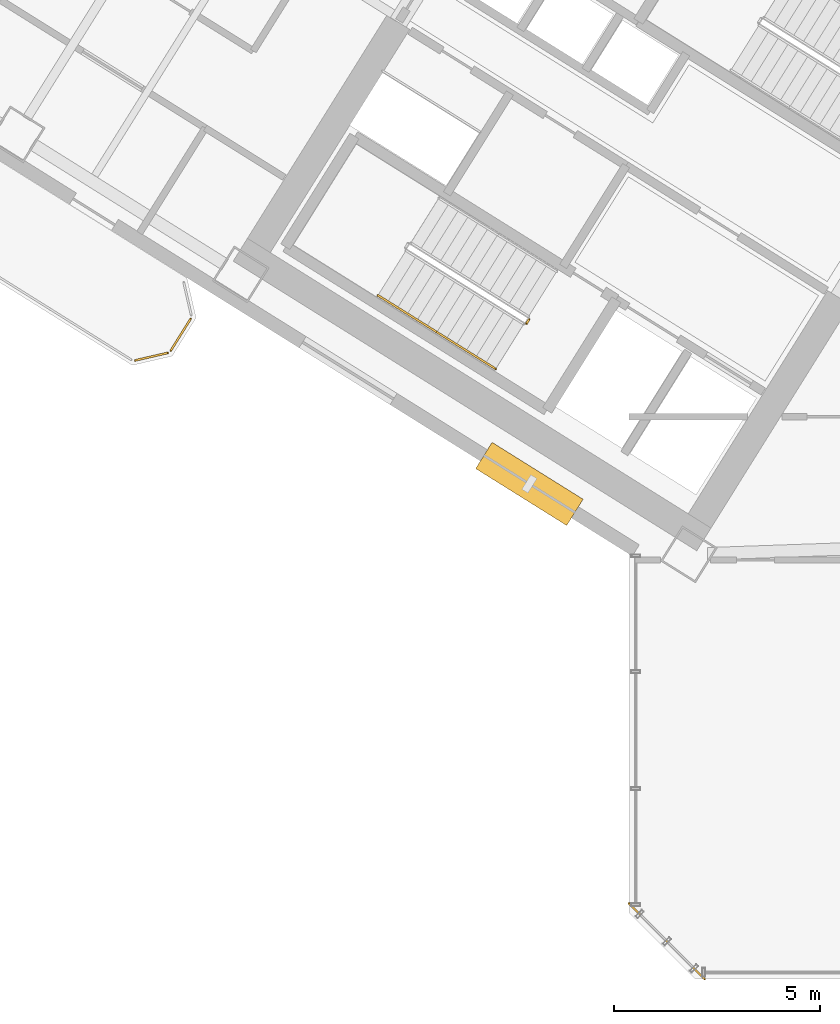
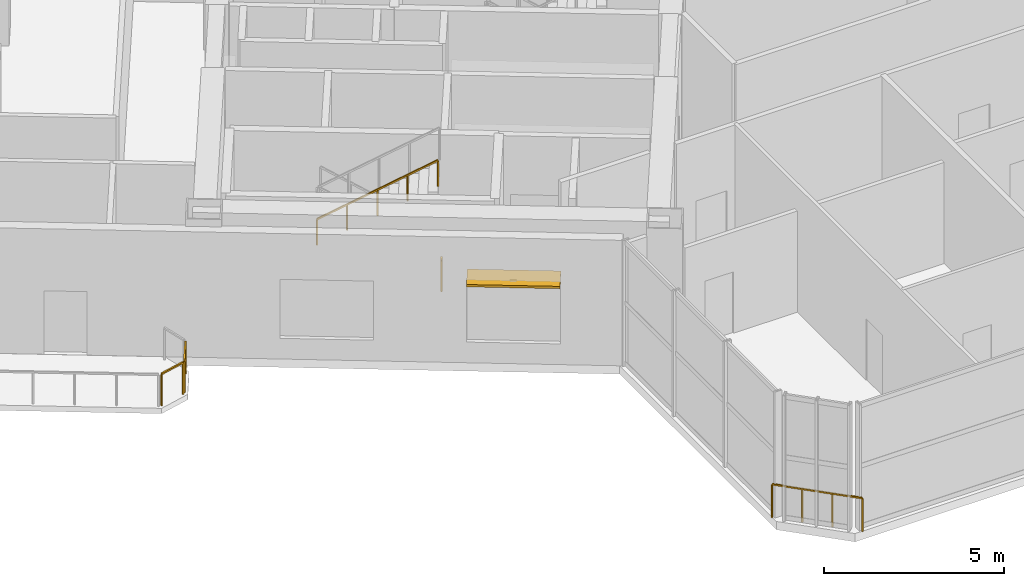
# One storey, part 16 of 19: 6 railings, 1 shading device.
"""IFC4 building model written with IfcOpenShell, lengths in metres."""

from ifc_helpers import new_model, si_unit, direction, frame, origin, origin_2d, place, context, subcontext, project, spatial, rectangle, extrude, source, transform, mapped, material, layer, layer_set, type_object, element, save


model = new_model("IFC4")

# Units and contexts
model_context = context("Model", 3, precision=1e-05, world=origin(), true_north=direction((0.0, 1.0)))
body_context = subcontext(model_context, "Body", "Model", "MODEL_VIEW")
ifc_project = project(units=[si_unit("LENGTHUNIT", "METRE"), si_unit("AREAUNIT", "SQUARE_METRE"), si_unit("VOLUMEUNIT", "CUBIC_METRE"), si_unit("PLANEANGLEUNIT", "RADIAN"), si_unit("MASSUNIT", "GRAM", prefix="KILO")], contexts=[model_context])

# Site, building, storey
site_placement = place(None, origin())
site = spatial("IfcSite", under=ifc_project, at=site_placement, CompositionType="ELEMENT")
building_placement = place(site_placement, origin())
building = spatial("IfcBuilding", under=site, at=building_placement, Name="Tlacorven Tower", CompositionType="ELEMENT")
storey_placement = place(building_placement, frame((0.0, 0.0, 76.5)))
storey = spatial("IfcBuildingStorey", under=building, at=storey_placement, Name="L19", CompositionType="ELEMENT", Elevation=76.5)

# Railings
ifc_material_1 = material(Name="Aluminium and painted steel balustrade", Category="steel")
railing_type_1 = type_object("IfcRailingType", Name="RL-BAL-1100", PredefinedType="BALUSTRADE", material=ifc_material_1)
shared_shape_1 = source(origin(), body_context, "Body", "SweptSolid", [
    extrude(rectangle(XDim=0.048095703125, YDim=0.048095703125, at=origin_2d()), frame((0.0, 0.0, 1.076171875), z_axis=(-0.52987865805, -0.848073468364, 0.0), x_axis=(0.848073468364, -0.52987865805, 0.0)), (0.0, 0.0, 1.0), 0.912353515625),
    extrude(rectangle(XDim=0.0419921875, YDim=0.0419921875, at=origin_2d()), origin(), (0.0, 0.0, 1.0), 1.052001953125),
    extrude(rectangle(XDim=0.0419921875, YDim=0.0419921875, at=origin_2d()), frame((-0.4833984375, -0.773681640625, 0.0)), (0.0, 0.0, 1.0), 1.052001953125),
])
railing_1_placement = place(storey_placement, frame((20.976318359375, 17.793701171875, 0.0)))
element("IfcRailing", 1, at=railing_1_placement, inside=storey, type_object=railing_type_1, Name="BAL-L19-W-OUT Guard Railing 2", PredefinedType="BALUSTRADE", context=body_context, shape_type="MappedRepresentation", body=[
    mapped(shared_shape_1, transform((0.0, 0.0, 0.0), scale=1.0)),
])
shared_shape_2 = source(origin(), body_context, "Body", "SweptSolid", [
    extrude(rectangle(XDim=0.048095703125, YDim=0.048095703125, at=origin_2d()), frame((0.0, 0.0, 1.076171875), z_axis=(-0.974345290916, -0.225058334816, 0.0), x_axis=(0.225058334816, -0.974345290916, 0.0)), (0.0, 0.0, 1.0), 0.80712890625),
    extrude(rectangle(XDim=0.0419921875, YDim=0.0419921875, at=origin_2d()), origin(), (0.0, 0.0, 1.0), 1.052001953125),
    extrude(rectangle(XDim=0.0419921875, YDim=0.0419921875, at=origin_2d()), frame((-0.786376953125, -0.181640625, 0.0)), (0.0, 0.0, 1.0), 1.052001953125),
])
railing_2_placement = place(storey_placement, frame((20.417724609375, 16.966552734375, 0.0)))
element("IfcRailing", 2, at=railing_2_placement, inside=storey, type_object=railing_type_1, Name="BAL-L19-W-OUT Guard Railing 3", PredefinedType="BALUSTRADE", context=body_context, shape_type="MappedRepresentation", body=[
    mapped(shared_shape_2, transform((0.0, 0.0, 0.0), scale=1.0)),
])
railing_type_2 = type_object("IfcRailingType", Name="RL-GRD-1150", PredefinedType="GUARDRAIL", material=ifc_material_1)
shared_shape_3 = source(origin(), body_context, "Body", "SweptSolid", [
    extrude(rectangle(XDim=0.048095703125, YDim=0.048095703125, at=origin_2d()), frame((0.0, 0.0, 1.1259765625), z_axis=(-0.707106781187, 0.707106781187, 0.0), x_axis=(-0.707106781187, -0.707106781187, 0.0)), (0.0, 0.0, 1.0), 2.590087890625),
    extrude(rectangle(XDim=0.0419921875, YDim=0.0419921875, at=origin_2d()), origin(), (0.0, 0.0, 1.0), 1.101806640625),
    extrude(rectangle(XDim=0.0419921875, YDim=0.0419921875, at=origin_2d()), frame((-0.610595703125, 0.610595703125, 0.0)), (0.0, 0.0, 1.0), 1.101806640625),
    extrude(rectangle(XDim=0.0419921875, YDim=0.0419921875, at=origin_2d()), frame((-1.220947265625, 1.220947265625, 0.0)), (0.0, 0.0, 1.0), 1.101806640625),
    extrude(rectangle(XDim=0.0419921875, YDim=0.0419921875, at=origin_2d()), frame((-1.83154296875, 1.83154296875, 0.0)), (0.0, 0.0, 1.0), 1.101806640625),
])
railing_3_placement = place(storey_placement, frame((33.428955078125, 1.79736328125, 0.0)))
element("IfcRailing", 3, at=railing_3_placement, inside=storey, type_object=railing_type_2, Name="L19 Knuckle Glazed Sill Guard 1", PredefinedType="GUARDRAIL", context=body_context, shape_type="MappedRepresentation", body=[
    mapped(shared_shape_3, transform((0.0, 0.0, 0.0), scale=1.0)),
])

# Shading device
ifc_material_2 = material(Name="Anodised bronze aluminium sunshade", Category="aluminium")
ifc_layer = layer(ifc_material_2, 0.080078125)
ifc_layer_set = layer_set([ifc_layer], Name="Anodised bronze aluminium sunshade")
shading_device_type = type_object("IfcShadingDeviceType", Name="SH-SUN-BRZ", PredefinedType="AWNING", material=ifc_layer_set)
shared_shape_4 = source(origin(), body_context, "Body", "SweptSolid", [
    extrude(rectangle(XDim=2.60009765625, YDim=0.75, at=origin_2d()), origin(), (0.0, 0.0, 1.0), 0.080078125),
])
shading_device_placement = place(storey_placement, frame((29.182373046875, 13.793701171875, 2.719970703125), z_axis=(0.0, 0.0, 1.0), x_axis=(-0.848048152806, 0.529919173576, 0.0)))
element("IfcShadingDevice", 4, at=shading_device_placement, inside=storey, type_object=shading_device_type, Name="L19 Solar Brise-Soleil Sunshade L19-01.1", PredefinedType="AWNING", context=body_context, shape_type="MappedRepresentation", body=[
    mapped(shared_shape_4, transform((0.0, 0.0, 0.0), scale=1.0)),
])

# Railings
railing_type_3 = type_object("IfcRailingType", Name="RL-GRD-1100", PredefinedType="GUARDRAIL", material=ifc_material_1)
shared_shape_5 = source(origin(), body_context, "Body", "SweptSolid", [
    extrude(rectangle(XDim=0.048095703125, YDim=0.048095703125, at=origin_2d()), frame((0.0, 0.0, 1.076171875), z_axis=(-0.529084052582, -0.848569422795, 0.0), x_axis=(0.848569422795, -0.529084052582, 0.0)), (0.0, 0.0, 1.0), 0.119873046875),
    extrude(rectangle(XDim=0.0419921875, YDim=0.0419921875, at=origin_2d()), origin(), (0.0, 0.0, 1.0), 1.052001953125),
    extrude(rectangle(XDim=0.0419921875, YDim=0.0419921875, at=origin_2d()), frame((-0.0634765625, -0.101806640625, 0.0)), (0.0, 0.0, 1.0), 1.052001953125),
])
railing_4_placement = place(storey_placement, frame((29.176513671875, 17.782958984375, 0.0)))
element("IfcRailing", 5, at=railing_4_placement, inside=storey, type_object=railing_type_3, Name="L19 ST-W1 stair guard 4", PredefinedType="GUARDRAIL", context=body_context, shape_type="MappedRepresentation", body=[
    mapped(shared_shape_5, transform((0.0, 0.0, 0.0), scale=1.0)),
])
railing_type_4 = type_object("IfcRailingType", Name="RL-HND-0900", PredefinedType="HANDRAIL", material=ifc_material_1)
shared_shape_6 = source(origin(), body_context, "Body", "SweptSolid", [
    extrude(rectangle(XDim=0.048095703125, YDim=0.048095703125, at=origin_2d()), frame((0.0, 0.0, 0.8759765625), z_axis=(0.721387654753, -0.450805479247, 0.525713107551), x_axis=(0.529946692594, 0.848030956397, 0.0)), (0.0, 0.0, 1.0), 1.97509765625),
    extrude(rectangle(XDim=0.0419921875, YDim=0.0419921875, at=origin_2d()), origin(), (0.0, 0.0, 1.0), 0.851806640625),
    extrude(rectangle(XDim=0.0419921875, YDim=0.0419921875, at=origin_2d()), frame((0.71240234375, -0.4453125, 0.51904296875)), (0.0, 0.0, 1.0), 0.851806640625),
    extrude(rectangle(XDim=0.0419921875, YDim=0.0419921875, at=origin_2d()), frame((1.4248046875, -0.890380859375, 1.038330078125)), (0.0, 0.0, 1.0), 0.851806640625),
])
railing_5_placement = place(storey_placement, frame((25.516357421875, 18.3603515625, 2.423095703125)))
element("IfcRailing", 6, at=railing_5_placement, inside=storey, type_object=railing_type_4, Name="L19 ST-W1 stair handrail 3", PredefinedType="HANDRAIL", context=body_context, shape_type="MappedRepresentation", body=[
    mapped(shared_shape_6, transform((0.0, 0.0, 0.0), scale=1.0)),
])
shared_shape_7 = source(origin(), body_context, "Body", "SweptSolid", [
    extrude(rectangle(XDim=0.048095703125, YDim=0.048095703125, at=origin_2d()), frame((0.0, 0.0, 0.8759765625), z_axis=(0.721321672373, -0.450717877887, 0.52587873081), x_axis=(0.529907487405, 0.848055455022, 0.0)), (0.0, 0.0, 1.0), 1.974853515625),
    extrude(rectangle(XDim=0.0419921875, YDim=0.0419921875, at=origin_2d()), origin(), (0.0, 0.0, 1.0), 0.851806640625),
    extrude(rectangle(XDim=0.0419921875, YDim=0.0419921875, at=origin_2d()), frame((0.71240234375, -0.445068359375, 0.519287109375)), (0.0, 0.0, 1.0), 0.851806640625),
    extrude(rectangle(XDim=0.0419921875, YDim=0.0419921875, at=origin_2d()), frame((1.424560546875, -0.89013671875, 1.03857421875)), (0.0, 0.0, 1.0), 0.851806640625),
])
railing_6_placement = place(storey_placement, frame((26.941162109375, 17.469970703125, 3.46142578125)))
element("IfcRailing", 7, at=railing_6_placement, inside=storey, type_object=railing_type_4, Name="L19 ST-W1 stair handrail 4", PredefinedType="HANDRAIL", context=body_context, shape_type="MappedRepresentation", body=[
    mapped(shared_shape_7, transform((0.0, 0.0, 0.0), scale=1.0)),
])

save(model, "model.ifc")
